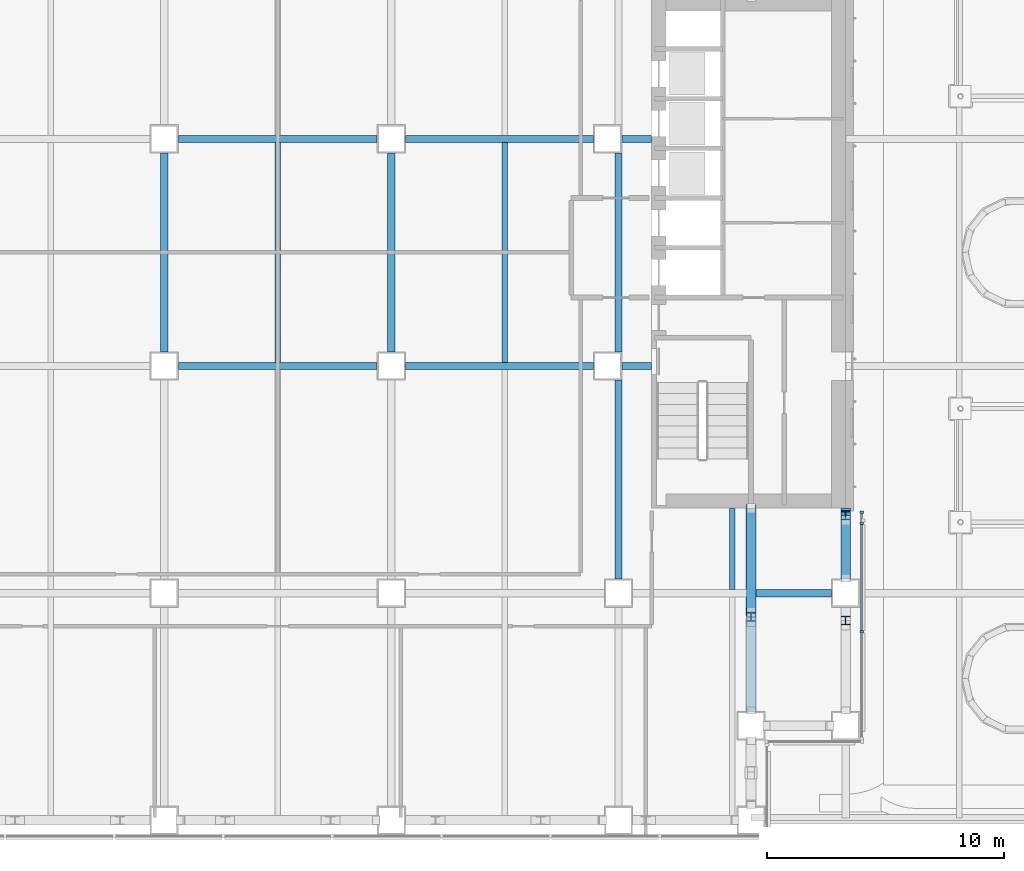
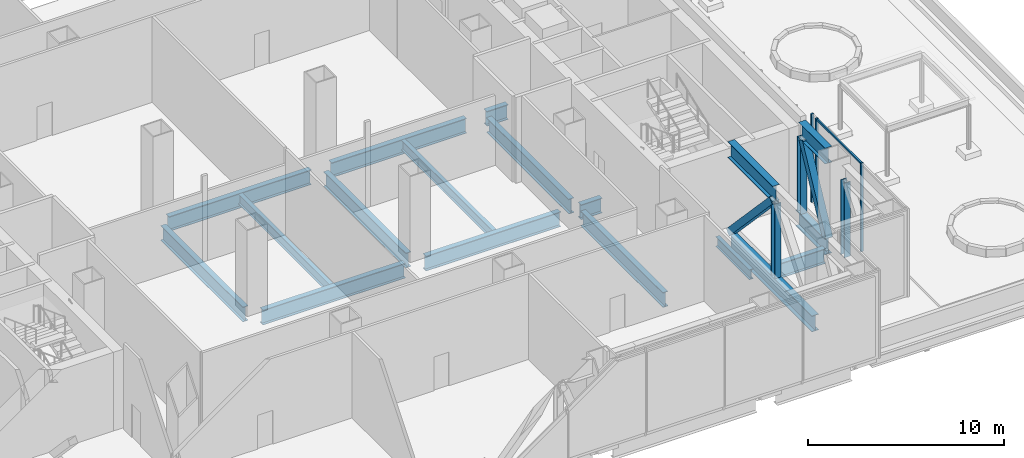
# One storey, part 10 of 39: 14 beams, 13 members, 1 element without a shape of its own.
"""IFC4 building model written with IfcOpenShell, lengths in metres."""

from ifc_helpers import new_model, si_unit, direction, frame, origin, origin_2d, place, context, subcontext, project, spatial, rectangle, hollow_rectangle, i_section, extrude, material, material_profile, profile_set, type_object, element, aggregate, save


model = new_model("IFC4")

# Units and contexts
model_context = context("Model", 3, precision=1e-05, world=origin(), true_north=direction((0.0, 1.0)))
body_context = subcontext(model_context, "Body", "Model", "MODEL_VIEW")
ifc_project = project(units=[si_unit("LENGTHUNIT", "METRE"), si_unit("AREAUNIT", "SQUARE_METRE"), si_unit("VOLUMEUNIT", "CUBIC_METRE"), si_unit("PLANEANGLEUNIT", "RADIAN"), si_unit("MASSUNIT", "GRAM", prefix="KILO")], contexts=[model_context])

# Site, building, storey
site_placement = place(None, origin())
site = spatial("IfcSite", under=ifc_project, at=site_placement, CompositionType="ELEMENT")
building_placement = place(site_placement, origin())
building = spatial("IfcBuilding", under=site, at=building_placement, Name="Cobrizo Arcos Hotel Tower", CompositionType="ELEMENT")
storey_placement = place(building_placement, frame((0.0, 0.0, 33.5)))
storey = spatial("IfcBuildingStorey", under=building, at=storey_placement, Name="L06", CompositionType="ELEMENT", Elevation=33.5)

# Curtain wall, members
ifc_material_1 = material(Name="Aluminium 6063-T6 anodised bronze", Category="aluminium")
curtain_wall_type = type_object("IfcCurtainWallType", Name="CW-D plant louvre wall", PredefinedType="NOTDEFINED", material=ifc_material_1)
curtain_wall_placement = place(storey_placement, origin())
curtain_wall = element("IfcCurtainWall", 1, at=curtain_wall_placement, inside=storey, type_object=curtain_wall_type, Name="CW-D L06 E face", PredefinedType="NOTDEFINED")
ifc_material_profile_1 = material_profile(ifc_material_1, rectangle(XDim=0.14990234375, YDim=0.10009765625, at=origin_2d()), Name="CW-D mullion 150x100")
ifc_profile_set_1 = profile_set([ifc_material_profile_1], Name="Aluminium 6063-T6 anodised bronze")
member_type_1 = type_object("IfcMemberType", Name="CW-D mullion 150x100", PredefinedType="MULLION", material=ifc_profile_set_1)
member_1_placement = place(storey_placement, frame((24.675048828125, -16.022216796875, 0.0), z_axis=(0.0, 0.0, 1.0), x_axis=(1.0, 0.0, 0.0)))
member_1 = element("IfcMember", 2, at=member_1_placement, type_object=member_type_1, Name="CW-D mullion 2", PredefinedType="MULLION", context=body_context, shape_type="SweptSolid", body=[
    extrude(rectangle(XDim=0.14990234375, YDim=0.10009765625, at=origin_2d()), origin(), (0.0, 0.0, 1.0), 5.5),
])
member_2_placement = place(storey_placement, frame((24.675048828125, -11.4443359375, 0.0), z_axis=(0.0, 0.0, 1.0), x_axis=(1.0, 0.0, 0.0)))
member_2 = element("IfcMember", 3, at=member_2_placement, type_object=member_type_1, Name="CW-D mullion 3", PredefinedType="MULLION", context=body_context, shape_type="SweptSolid", body=[
    extrude(rectangle(XDim=0.14990234375, YDim=0.10009765625, at=origin_2d()), origin(), (0.0, 0.0, 1.0), 5.5),
])
member_3_placement = place(storey_placement, frame((24.675048828125, -10.974365234375, 0.0), z_axis=(0.0, 0.0, 1.0), x_axis=(1.0, 0.0, 0.0)))
member_3 = element("IfcMember", 4, at=member_3_placement, type_object=member_type_1, Name="CW-D mullion 4", PredefinedType="MULLION", context=body_context, shape_type="SweptSolid", body=[
    extrude(rectangle(XDim=0.14990234375, YDim=0.10009765625, at=origin_2d()), origin(), (0.0, 0.0, 1.0), 5.5),
])
ifc_material_profile_2 = material_profile(ifc_material_1, rectangle(XDim=0.10009765625, YDim=0.10009765625, at=origin_2d()), Name="CW-D transom 100x100")
ifc_profile_set_2 = profile_set([ifc_material_profile_2], Name="Aluminium 6063-T6 anodised bronze")
member_type_2 = type_object("IfcMemberType", Name="CW-D transom 100x100", PredefinedType="USERDEFINED", material=ifc_profile_set_2)
member_4_placement = place(storey_placement, frame((24.675048828125, -15.97216796875, 5.449951171875), z_axis=(0.0, 1.0, 0.0), x_axis=(-1.0, 0.0, 0.0)))
member_4 = element("IfcMember", 5, at=member_4_placement, type_object=member_type_2, Name="CW-D transom 335", ObjectType="TRANSOM", PredefinedType="USERDEFINED", context=body_context, shape_type="SweptSolid", body=[
    extrude(rectangle(XDim=0.10009765625, YDim=0.10009765625, at=origin_2d()), origin(), (0.0, 0.0, 1.0), 4.477783203125),
])
aggregate(curtain_wall, [member_1, member_2, member_3, member_4])

# Members
ifc_material_2 = material(Name="Steel ASTM A500 Grade C", Category="steel")
ifc_material_profile_3 = material_profile(ifc_material_2, hollow_rectangle(XDim=0.406494140625, YDim=0.406494140625, WallThickness=0.014892578125, at=origin_2d()), Name="HSS16X16X5/8")
ifc_profile_set_3 = profile_set([ifc_material_profile_3], Name="Steel ASTM A500 Grade C")
member_type_3 = type_object("IfcMemberType", Name="HSS16X16X5/8 truss diagonal", PredefinedType="BRACE", material=ifc_profile_set_3)
member_5_placement = place(storey_placement, frame((24.0, -13.719970703125, -0.300048828125), z_axis=(0.0, 0.45925576927, 0.888304079914), x_axis=(-1.0, 0.0, 0.0)))
element("IfcMember", 6, at=member_5_placement, inside=storey, type_object=member_type_3, Name="Belt truss diagonal TD1, L06, no. 013", PredefinedType="BRACE", context=body_context, shape_type="SweptSolid", body=[
    extrude(hollow_rectangle(XDim=0.406494140625, YDim=0.406494140625, WallThickness=0.014892578125, at=origin_2d()), origin(), (0.0, 0.0, 1.0), 5.245361328125),
])
member_6_placement = place(storey_placement, frame((20.0, -10.800048828125, -0.300048828125), z_axis=(0.0, -0.68656871731, 0.72706491898), x_axis=(1.0, 0.0, 0.0)))
element("IfcMember", 7, at=member_6_placement, inside=storey, type_object=member_type_3, Name="Outrigger diagonal TD1, L06, no. 001", PredefinedType="BRACE", context=body_context, shape_type="SweptSolid", body=[
    extrude(hollow_rectangle(XDim=0.406494140625, YDim=0.406494140625, WallThickness=0.014892578125, at=origin_2d()), origin(), (0.0, 0.0, 1.0), 6.408447265625),
])
ifc_material_3 = material(Name="Steel ASTM A992 Grade 50", Category="steel")
ifc_material_profile_4 = material_profile(ifc_material_3, i_section(OverallWidth=0.373291015625, OverallDepth=0.373291015625, WebThickness=0.016357421875, FlangeThickness=0.026123046875, at=origin_2d()), Name="W14X132")
ifc_profile_set_4 = profile_set([ifc_material_profile_4], Name="Steel ASTM A992 Grade 50")
member_type_4 = type_object("IfcMemberType", Name="W14X132 truss post", PredefinedType="POST", material=ifc_profile_set_4)
for number, where, z_axis, x_axis, name in (
    (8, (24.0, -15.555908203125, -0.300048828125), (0.0, 0.0, 1.0), (1.0, 0.0, 0.0), "Truss post TP1, L06, no. 009"),
    (9, (24.0, -11.111083984375, -0.300048828125), (0.0, 0.0, 1.0), (1.0, 0.0, 0.0), "Truss post TP1, L06, no. 010"),
    (10, (20.0, -15.39990234375, -0.300048828125), (0.0, 0.0, 1.0), (1.0, 0.0, 0.0), "Truss post TP1, L06, no. 025"),
):
    element("IfcMember", number, at=place(storey_placement, frame(where, z_axis=z_axis, x_axis=x_axis)), inside=storey, type_object=member_type_4, Name=name, PredefinedType="POST", context=body_context, shape_type="SweptSolid", body=[
        extrude(i_section(OverallWidth=0.373291015625, OverallDepth=0.373291015625, WebThickness=0.016357421875, FlangeThickness=0.026123046875, at=origin_2d()), origin(), (0.0, 0.0, 1.0), 4.659423828125),
    ])

# Beams
ifc_material_profile_5 = material_profile(ifc_material_3, i_section(OverallWidth=0.23046875, OverallDepth=0.6171875, WebThickness=0.01318359375, FlangeThickness=0.022216796875, at=origin_2d()), Name="W24X94")
ifc_profile_set_5 = profile_set([ifc_material_profile_5], Name="Steel ASTM A992 Grade 50")
beam_type_1 = type_object("IfcBeamType", Name="W24X94 podium joist", PredefinedType="JOIST", material=ifc_profile_set_5)
for number, where, z_axis, x_axis, name in (
    (11, (0.0, -4.646240234375, -0.608642578125), (0.0, 1.0, 0.0), (-1.0, 0.0, 0.0), "Podium joist PJ1, L06, no. 017"),
    (12, (9.60009765625, -4.646240234375, -0.608642578125), (0.0, 1.0, 0.0), (-1.0, 0.0, 0.0), "Podium joist PJ1, L06, no. 022"),
):
    element("IfcBeam", number, at=place(storey_placement, frame(where, z_axis=z_axis, x_axis=x_axis)), inside=storey, type_object=beam_type_1, Name=name, PredefinedType="JOIST", context=body_context, shape_type="SweptSolid", body=[
        extrude(i_section(OverallWidth=0.23046875, OverallDepth=0.6171875, WebThickness=0.01318359375, FlangeThickness=0.022216796875, at=origin_2d()), origin(), (0.0, 0.0, 1.0), 9.29248046875),
    ])
beam_1_placement = place(storey_placement, frame((19.199951171875, -14.246337890625, -0.608642578125), z_axis=(0.0, 1.0, 0.0), x_axis=(-1.0, 0.0, 0.0)))
element("IfcBeam", 13, at=beam_1_placement, inside=storey, type_object=beam_type_1, Name="Podium joist PJ1, L06, no. 026", PredefinedType="JOIST", context=body_context, shape_type="SweptSolid", body=[
    extrude(i_section(OverallWidth=0.23046875, OverallDepth=0.6171875, WebThickness=0.01318359375, FlangeThickness=0.022216796875, at=origin_2d()), origin(), (0.0, 0.0, 1.0), 3.436279296875),
])
ifc_material_profile_6 = material_profile(ifc_material_3, i_section(OverallWidth=0.307373046875, OverallDepth=0.927001953125, WebThickness=0.01953125, FlangeThickness=0.031982421875, at=origin_2d()), Name="W36X194")
ifc_profile_set_6 = profile_set([ifc_material_profile_6], Name="Steel ASTM A992 Grade 50")
beam_type_2 = type_object("IfcBeamType", Name="W36X194 podium girder", PredefinedType="BEAM", material=ifc_profile_set_6)
beam_2_placement = place(storey_placement, frame((20.200439453125, -14.39990234375, -0.763427734375), z_axis=(1.0, 0.0, 0.0), x_axis=(0.0, 1.0, 0.0)))
element("IfcBeam", 14, at=beam_2_placement, inside=storey, type_object=beam_type_2, Name="Podium girder PG1, L06, no. 009", PredefinedType="BEAM", context=body_context, shape_type="SweptSolid", body=[
    extrude(i_section(OverallWidth=0.307373046875, OverallDepth=0.927001953125, WebThickness=0.01953125, FlangeThickness=0.031982421875, at=origin_2d()), origin(), (0.0, 0.0, 1.0), 3.199462890625),
])
beam_3_placement = place(storey_placement, frame((-4.199951171875, -4.800048828125, -0.763427734375), z_axis=(1.0, 0.0, 0.0), x_axis=(0.0, 1.0, 0.0)))
element("IfcBeam", 15, at=beam_3_placement, inside=storey, type_object=beam_type_2, Name="Podium girder PG1, L06, no. 015", PredefinedType="BEAM", context=body_context, shape_type="SweptSolid", body=[
    extrude(i_section(OverallWidth=0.307373046875, OverallDepth=0.927001953125, WebThickness=0.01953125, FlangeThickness=0.031982421875, at=origin_2d()), origin(), (0.0, 0.0, 1.0), 8.39990234375),
])
beam_4_placement = place(storey_placement, frame((5.39990234375, -4.800048828125, -0.763427734375), z_axis=(1.0, 0.0, 0.0), x_axis=(0.0, 1.0, 0.0)))
element("IfcBeam", 16, at=beam_4_placement, inside=storey, type_object=beam_type_2, Name="Podium girder PG1, L06, no. 016", PredefinedType="BEAM", context=body_context, shape_type="SweptSolid", body=[
    extrude(i_section(OverallWidth=0.307373046875, OverallDepth=0.927001953125, WebThickness=0.01953125, FlangeThickness=0.031982421875, at=origin_2d()), origin(), (0.0, 0.0, 1.0), 7.940185546875),
])
beam_5_placement = place(storey_placement, frame((14.5400390625, -4.800048828125, -0.763427734375), z_axis=(1.0, 0.0, 0.0), x_axis=(0.0, 1.0, 0.0)))
element("IfcBeam", 17, at=beam_5_placement, inside=storey, type_object=beam_type_2, Name="Podium girder PG1, L06, no. 017", PredefinedType="BEAM", context=body_context, shape_type="SweptSolid", body=[
    extrude(i_section(OverallWidth=0.307373046875, OverallDepth=0.927001953125, WebThickness=0.01953125, FlangeThickness=0.031982421875, at=origin_2d()), origin(), (0.0, 0.0, 1.0), 1.25),
])
beam_6_placement = place(storey_placement, frame((-4.199951171875, 4.800048828125, -0.763427734375), z_axis=(1.0, 0.0, 0.0), x_axis=(0.0, 1.0, 0.0)))
element("IfcBeam", 18, at=beam_6_placement, inside=storey, type_object=beam_type_2, Name="Podium girder PG1, L06, no. 023", PredefinedType="BEAM", context=body_context, shape_type="SweptSolid", body=[
    extrude(i_section(OverallWidth=0.307373046875, OverallDepth=0.927001953125, WebThickness=0.01953125, FlangeThickness=0.031982421875, at=origin_2d()), origin(), (0.0, 0.0, 1.0), 8.39990234375),
])
beam_7_placement = place(storey_placement, frame((5.39990234375, 4.800048828125, -0.763427734375), z_axis=(1.0, 0.0, 0.0), x_axis=(0.0, 1.0, 0.0)))
element("IfcBeam", 19, at=beam_7_placement, inside=storey, type_object=beam_type_2, Name="Podium girder PG1, L06, no. 024", PredefinedType="BEAM", context=body_context, shape_type="SweptSolid", body=[
    extrude(i_section(OverallWidth=0.307373046875, OverallDepth=0.927001953125, WebThickness=0.01953125, FlangeThickness=0.031982421875, at=origin_2d()), origin(), (0.0, 0.0, 1.0), 7.940185546875),
])
beam_8_placement = place(storey_placement, frame((14.5400390625, 4.800048828125, -0.763427734375), z_axis=(1.0, 0.0, 0.0), x_axis=(0.0, 1.0, 0.0)))
element("IfcBeam", 20, at=beam_8_placement, inside=storey, type_object=beam_type_2, Name="Podium girder PG1, L06, no. 025", PredefinedType="BEAM", context=body_context, shape_type="SweptSolid", body=[
    extrude(i_section(OverallWidth=0.307373046875, OverallDepth=0.927001953125, WebThickness=0.01953125, FlangeThickness=0.031982421875, at=origin_2d()), origin(), (0.0, 0.0, 1.0), 1.25),
])
for number, where, z_axis, x_axis, name in (
    (21, (-4.800048828125, -4.199951171875, -0.763427734375), (0.0, 1.0, 0.0), (-1.0, 0.0, 0.0), "Podium girder PG1, L06, no. 053"),
    (22, (4.800048828125, -4.199951171875, -0.763427734375), (0.0, 1.0, 0.0), (-1.0, 0.0, 0.0), "Podium girder PG1, L06, no. 058"),
):
    element("IfcBeam", number, at=place(storey_placement, frame(where, z_axis=z_axis, x_axis=x_axis)), inside=storey, type_object=beam_type_2, Name=name, PredefinedType="BEAM", context=body_context, shape_type="SweptSolid", body=[
        extrude(i_section(OverallWidth=0.307373046875, OverallDepth=0.927001953125, WebThickness=0.01953125, FlangeThickness=0.031982421875, at=origin_2d()), origin(), (0.0, 0.0, 1.0), 8.39990234375),
    ])
beam_9_placement = place(storey_placement, frame((14.39990234375, -13.800048828125, -0.763427734375), z_axis=(0.0, 1.0, 0.0), x_axis=(-1.0, 0.0, 0.0)))
element("IfcBeam", 23, at=beam_9_placement, inside=storey, type_object=beam_type_2, Name="Podium girder PG1, L06, no. 062", PredefinedType="BEAM", context=body_context, shape_type="SweptSolid", body=[
    extrude(i_section(OverallWidth=0.307373046875, OverallDepth=0.927001953125, WebThickness=0.01953125, FlangeThickness=0.031982421875, at=origin_2d()), origin(), (0.0, 0.0, 1.0), 8.400146484375),
])
beam_10_placement = place(storey_placement, frame((14.39990234375, -4.199951171875, -0.763427734375), z_axis=(0.0, 1.0, 0.0), x_axis=(-1.0, 0.0, 0.0)))
element("IfcBeam", 24, at=beam_10_placement, inside=storey, type_object=beam_type_2, Name="Podium girder PG1, L06, no. 063", PredefinedType="BEAM", context=body_context, shape_type="SweptSolid", body=[
    extrude(i_section(OverallWidth=0.307373046875, OverallDepth=0.927001953125, WebThickness=0.01953125, FlangeThickness=0.031982421875, at=origin_2d()), origin(), (0.0, 0.0, 1.0), 8.39990234375),
])

# Members
ifc_material_profile_7 = material_profile(ifc_material_3, i_section(OverallWidth=0.4013671875, OverallDepth=0.990478515625, WebThickness=0.0166015625, FlangeThickness=0.025390625, at=origin_2d()), Name="W40X215")
ifc_profile_set_7 = profile_set([ifc_material_profile_7], Name="Steel ASTM A992 Grade 50")
member_type_5 = type_object("IfcMemberType", Name="W40X215 belt truss chord", PredefinedType="CHORD", material=ifc_profile_set_7)
member_7_placement = place(storey_placement, frame((24.0, -13.800048828125, -0.79541015625), z_axis=(0.0, 1.0, 0.0), x_axis=(-1.0, 0.0, 0.0)))
element("IfcMember", 25, at=member_7_placement, inside=storey, type_object=member_type_5, Name="Belt truss bottom chord TC1, L06, no. 009", PredefinedType="CHORD", context=body_context, shape_type="SweptSolid", body=[
    extrude(i_section(OverallWidth=0.4013671875, OverallDepth=0.990478515625, WebThickness=0.0166015625, FlangeThickness=0.025390625, at=origin_2d()), origin(), (0.0, 0.0, 1.0), 2.9990234375),
])
member_8_placement = place(storey_placement, frame((24.0, -13.800048828125, 4.854736328125), z_axis=(0.0, 1.0, 0.0), x_axis=(-1.0, 0.0, 0.0)))
element("IfcMember", 26, at=member_8_placement, inside=storey, type_object=member_type_5, Name="Belt truss top chord TC1, L06, no. 015", PredefinedType="CHORD", context=body_context, shape_type="SweptSolid", body=[
    extrude(i_section(OverallWidth=0.4013671875, OverallDepth=0.990478515625, WebThickness=0.0166015625, FlangeThickness=0.025390625, at=origin_2d()), origin(), (0.0, 0.0, 1.0), 2.68896484375),
])
member_9_placement = place(storey_placement, frame((20.0, -10.800048828125, -0.79541015625), z_axis=(0.0, -1.0, 0.0), x_axis=(1.0, 0.0, 0.0)))
element("IfcMember", 27, at=member_9_placement, inside=storey, type_object=member_type_5, Name="Outrigger bottom chord TC1, L06, no. 001", PredefinedType="CHORD", context=body_context, shape_type="SweptSolid", body=[
    extrude(i_section(OverallWidth=0.4013671875, OverallDepth=0.990478515625, WebThickness=0.0166015625, FlangeThickness=0.025390625, at=origin_2d()), origin(), (0.0, 0.0, 1.0), 8.599853515625),
])
member_10_placement = place(storey_placement, frame((20.0, -10.800048828125, 4.854736328125), z_axis=(0.0, -1.0, 0.0), x_axis=(1.0, 0.0, 0.0)))
element("IfcMember", 28, at=member_10_placement, inside=storey, type_object=member_type_5, Name="Outrigger top chord TC1, L06, no. 001", PredefinedType="CHORD", context=body_context, shape_type="SweptSolid", body=[
    extrude(i_section(OverallWidth=0.4013671875, OverallDepth=0.990478515625, WebThickness=0.0166015625, FlangeThickness=0.025390625, at=origin_2d()), origin(), (0.0, 0.0, 1.0), 4.599853515625),
])

save(model, "model.ifc")
